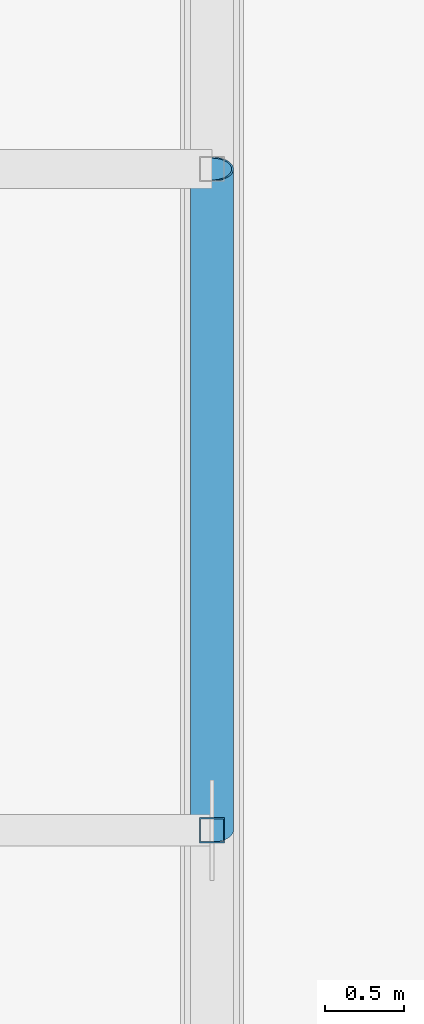
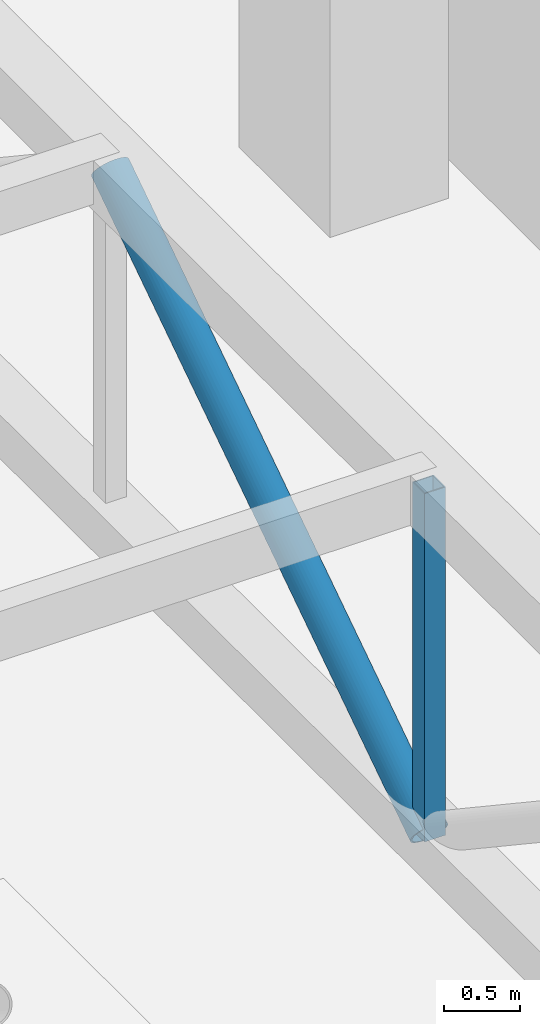
# One storey, part 22 of 47: 2 members.
"""IFC4 building model written with IfcOpenShell, lengths in metres."""

from ifc_helpers import new_model, si_unit, direction, frame, origin, origin_2d, place, context, subcontext, project, spatial, hollow_rectangle, hollow_circle, extrude, material, material_profile, profile_set, type_object, element, save


model = new_model("IFC4")

# Units and contexts
model_context = context("Model", 3, precision=1e-05, world=origin(), true_north=direction((0.0, 1.0)))
body_context = subcontext(model_context, "Body", "Model", "MODEL_VIEW")
ifc_project = project(units=[si_unit("LENGTHUNIT", "METRE"), si_unit("AREAUNIT", "SQUARE_METRE"), si_unit("VOLUMEUNIT", "CUBIC_METRE"), si_unit("PLANEANGLEUNIT", "RADIAN"), si_unit("MASSUNIT", "GRAM", prefix="KILO")], contexts=[model_context])

# Site, building, storey
site_placement = place(None, origin())
site = spatial("IfcSite", under=ifc_project, at=site_placement, CompositionType="ELEMENT")
building_placement = place(site_placement, origin())
building = spatial("IfcBuilding", under=site, at=building_placement, Name="Xuanlan Plaza Opera House", CompositionType="ELEMENT")
storey_placement = place(building_placement, frame((0.0, 0.0, 23.39990234375)))
storey = spatial("IfcBuildingStorey", under=building, at=storey_placement, Name="L05", CompositionType="ELEMENT", Elevation=23.39990234375)

# Members
ifc_material = material(Name="Steel Q355B", Category="steel")
ifc_material_profile_1 = material_profile(ifc_material, hollow_circle(Radius=0.136474609375, WallThickness=0.011962890625, at=origin_2d()), Name="CHS 273x12")
ifc_profile_set_1 = profile_set([ifc_material_profile_1], Name="Steel Q355B")
member_type_1 = type_object("IfcMemberType", Name="STR-MEM-BR-04", PredefinedType="BRACE", material=ifc_profile_set_1)
member_1_placement = place(storey_placement, frame((88.199951171875, 58.800048828125, 1.259033203125), z_axis=(0.0, 0.832042853317, 0.554711357594), x_axis=(-1.0, 0.0, 0.0)))
element("IfcMember", 1, at=member_1_placement, inside=storey, type_object=member_type_1, Name="Auditorium Roof Truss AUD-05 Web Diagonal 5", PredefinedType="BRACE", context=body_context, shape_type="SweptSolid", body=[
    extrude(hollow_circle(Radius=0.136474609375, WallThickness=0.011962890625, at=origin_2d()), origin(), (0.0, 0.0, 1.0), 5.0478515625),
])
ifc_material_profile_2 = material_profile(ifc_material, hollow_rectangle(XDim=0.159912109375, YDim=0.159912109375, WallThickness=0.008056640625, at=origin_2d()), Name="SHS 160x160x8")
ifc_profile_set_2 = profile_set([ifc_material_profile_2], Name="Steel Q355B")
member_type_2 = type_object("IfcMemberType", Name="STR-MEM-ST-M3", PredefinedType="STRUT", material=ifc_profile_set_2)
member_2_placement = place(storey_placement, frame((88.199951171875, 58.800048828125, 1.259033203125), z_axis=(0.0, 0.0, 1.0), x_axis=(1.0, 0.0, 0.0)))
element("IfcMember", 2, at=member_2_placement, inside=storey, type_object=member_type_2, Name="Auditorium Roof Truss AUD-05 Vertical Strut 4", PredefinedType="STRUT", context=body_context, shape_type="SweptSolid", body=[
    extrude(hollow_rectangle(XDim=0.159912109375, YDim=0.159912109375, WallThickness=0.008056640625, at=origin_2d()), origin(), (0.0, 0.0, 1.0), 2.800048828125),
])

save(model, "model.ifc")
